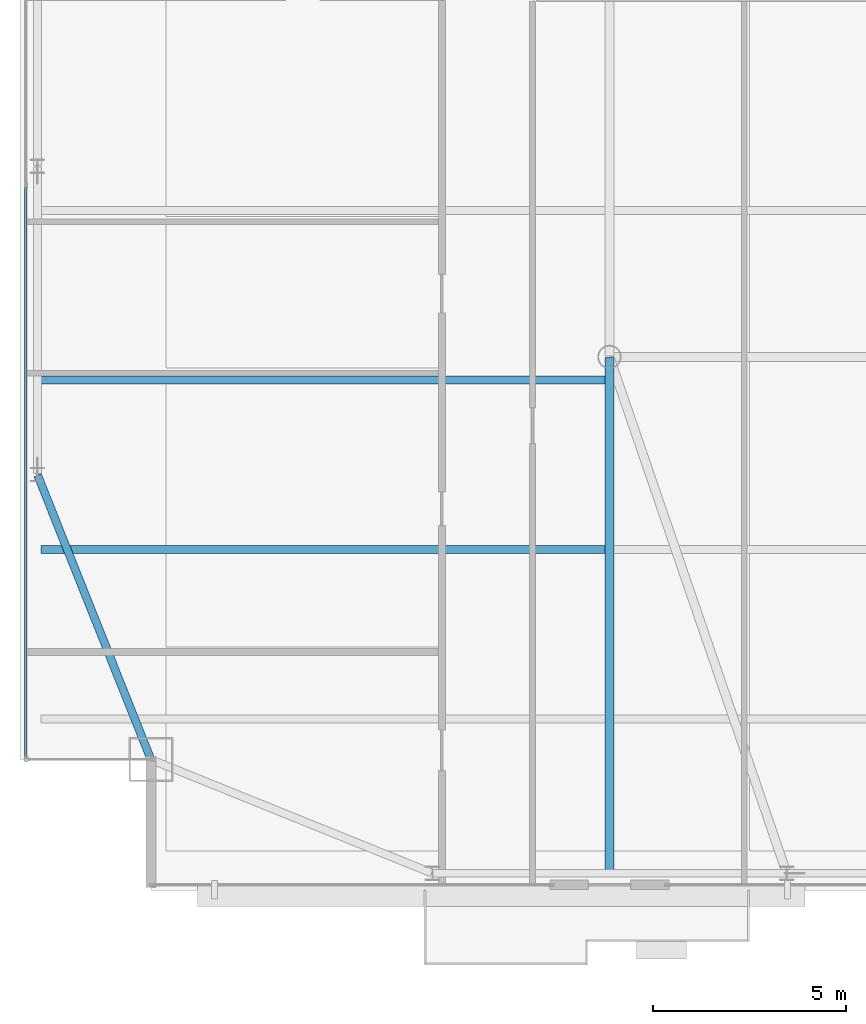
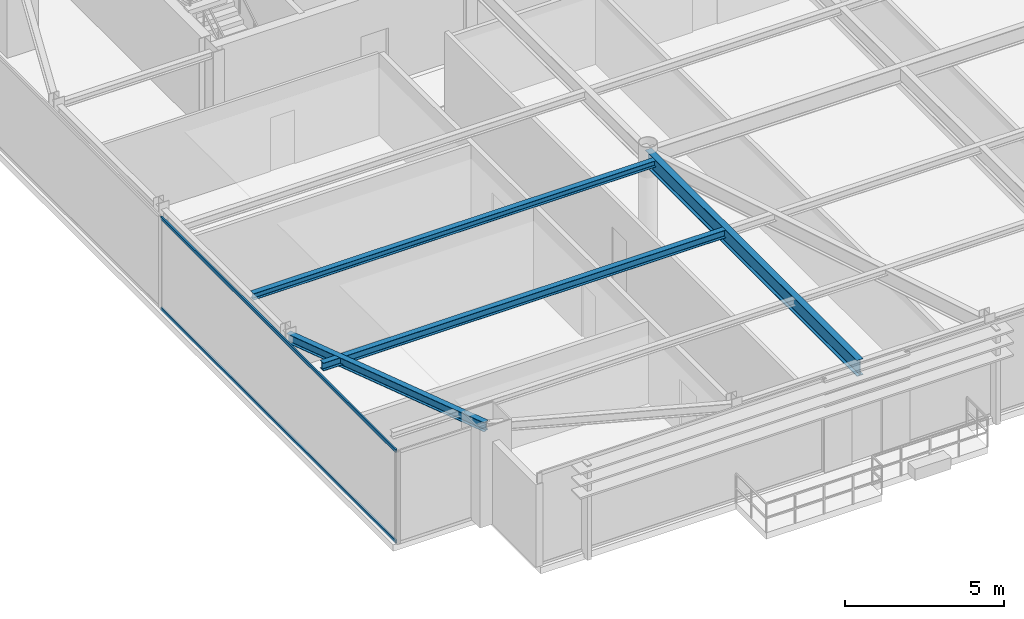
# One storey, part 7 of 30: 4 beams, 2 members, 1 element without a shape of its own.
"""IFC4 building model written with IfcOpenShell, lengths in metres."""

from ifc_helpers import new_model, si_unit, direction, frame, origin, origin_2d, place, context, subcontext, project, spatial, hollow_rectangle, i_section, extrude, source, transform, mapped, material, layer, layer_set, material_profile, profile_set, type_object, type_shapes, element, aggregate, save


model = new_model("IFC4")

# Units and contexts
model_context = context("Model", 3, precision=1e-05, world=origin(), true_north=direction((0.0, 1.0)))
body_context = subcontext(model_context, "Body", "Model", "MODEL_VIEW")
ifc_project = project(units=[si_unit("LENGTHUNIT", "METRE"), si_unit("AREAUNIT", "SQUARE_METRE"), si_unit("VOLUMEUNIT", "CUBIC_METRE"), si_unit("PLANEANGLEUNIT", "RADIAN"), si_unit("MASSUNIT", "GRAM", prefix="KILO")], contexts=[model_context])

# Site, building, storey
site_placement = place(None, origin())
site = spatial("IfcSite", under=ifc_project, at=site_placement, CompositionType="ELEMENT")
building_placement = place(site_placement, origin())
building = spatial("IfcBuilding", under=site, at=building_placement, Name="Varnel Quay Broadcast Tower", CompositionType="ELEMENT")
storey_placement = place(building_placement, frame((0.0, 0.0, 211.199951171875)))
storey = spatial("IfcBuildingStorey", under=building, at=storey_placement, Name="L52", CompositionType="ELEMENT", Elevation=211.199951171875)

# Beams
ifc_material_1 = material(Name="Structural Steel CSA G40.21 350W", Category="steel")
ifc_material_profile_1 = material_profile(ifc_material_1, i_section(OverallWidth=0.205078125, OverallDepth=0.35400390625, WebThickness=0.009521484375, FlangeThickness=0.016845703125, FilletRadius=0.012939453125, at=origin_2d()), Name="W360X79")
ifc_profile_set_1 = profile_set([ifc_material_profile_1], Name="Structural Steel CSA G40.21 350W")
beam_type_1 = type_object("IfcBeamType", Name="Beam_W360X79", PredefinedType="SPANDREL", material=ifc_profile_set_1)
shared_shape_1 = source(origin(), body_context, "Body", "SweptSolid", [
    extrude(i_section(OverallWidth=0.205078125, OverallDepth=0.35400390625, WebThickness=0.009521484375, FlangeThickness=0.016845703125, FilletRadius=0.012939453125, at=origin_2d()), origin(), (0.0, 0.0, 1.0), 7.92626953125),
])
type_shapes(beam_type_1, [shared_shape_1])
beam_1_placement = place(storey_placement, frame((12.892578125, 13.61865234375, 3.373046875), z_axis=(-0.370296431883, 0.928913641053, 0.0), x_axis=(-0.928913641053, -0.370296431883, 0.0)))
element("IfcBeam", 1, at=beam_1_placement, inside=storey, type_object=beam_type_1, Name="L52 West Spandrel MC-SW-TC-W1", PredefinedType="SPANDREL", context=body_context, shape_type="MappedRepresentation", body=[
    mapped(shared_shape_1, transform((0.0, 0.0, 0.0), x_axis=(1.0, 0.0, 0.0), y_axis=(0.0, 1.0, 0.0), z_axis=(0.0, 0.0, 1.0), scale=1.0)),
])
ifc_material_profile_2 = material_profile(ifc_material_1, i_section(OverallWidth=0.22998046875, OverallDepth=0.616943359375, WebThickness=0.01318359375, FlangeThickness=0.022216796875, FilletRadius=0.01611328125, at=origin_2d()), Name="W610X140")
ifc_profile_set_2 = profile_set([ifc_material_profile_2], Name="Structural Steel CSA G40.21 350W")
beam_type_2 = type_object("IfcBeamType", Name="Girder_W610X140", PredefinedType="BEAM", material=ifc_profile_set_2)
shared_shape_2 = source(origin(), body_context, "Body", "SweptSolid", [
    extrude(i_section(OverallWidth=0.22998046875, OverallDepth=0.616943359375, WebThickness=0.01318359375, FlangeThickness=0.022216796875, FilletRadius=0.01611328125, at=origin_2d()), origin(), (0.0, 0.0, 1.0), 13.360107421875),
])
type_shapes(beam_type_2, [shared_shape_2])
beam_2_placement = place(storey_placement, frame((24.800048828125, 10.669921875, 3.241455078125), z_axis=(0.0, 1.0, 0.0), x_axis=(-1.0, 0.0, 0.0)))
element("IfcBeam", 2, at=beam_2_placement, inside=storey, type_object=beam_type_2, Name="L52 N-S Joist Header IC-01S", PredefinedType="BEAM", context=body_context, shape_type="MappedRepresentation", body=[
    mapped(shared_shape_2, transform((0.0, 0.0, 0.0), x_axis=(1.0, 0.0, 0.0), y_axis=(0.0, 1.0, 0.0), z_axis=(0.0, 0.0, 1.0), scale=1.0)),
])
ifc_material_profile_3 = material_profile(ifc_material_1, i_section(OverallWidth=0.201904296875, OverallDepth=0.2470703125, WebThickness=0.00732421875, FlangeThickness=0.010986328125, FilletRadius=0.010986328125, at=origin_2d()), Name="W250X49")
ifc_profile_set_3 = profile_set([ifc_material_profile_3], Name="Structural Steel CSA G40.21 350W")
beam_type_3 = type_object("IfcBeamType", Name="Beam_W250X49", PredefinedType="JOIST", material=ifc_profile_set_3)
shared_shape_3 = source(origin(), body_context, "Body", "SweptSolid", [
    extrude(i_section(OverallWidth=0.201904296875, OverallDepth=0.2470703125, WebThickness=0.00732421875, FlangeThickness=0.010986328125, FilletRadius=0.010986328125, at=origin_2d()), origin(), (0.0, 0.0, 1.0), 14.642333984375),
])
type_shapes(beam_type_3, [shared_shape_3])
beam_3_placement = place(storey_placement, frame((10.047607421875, 23.449951171875, 3.426513671875), z_axis=(1.0, 0.0, 0.0), x_axis=(0.0, 1.0, 0.0)))
element("IfcBeam", 3, at=beam_3_placement, inside=storey, type_object=beam_type_3, Name="L52 West Floor Joist 3", PredefinedType="JOIST", context=body_context, shape_type="MappedRepresentation", body=[
    mapped(shared_shape_3, transform((0.0, 0.0, 0.0), x_axis=(1.0, 0.0, 0.0), y_axis=(0.0, 1.0, 0.0), z_axis=(0.0, 0.0, 1.0), scale=1.0)),
])
ifc_material_profile_4 = material_profile(ifc_material_1, i_section(OverallWidth=0.202880859375, OverallDepth=0.302978515625, WebThickness=0.007568359375, FlangeThickness=0.01318359375, FilletRadius=0.011962890625, at=origin_2d()), Name="W310X60")
ifc_profile_set_4 = profile_set([ifc_material_profile_4], Name="Structural Steel CSA G40.21 350W")
beam_type_4 = type_object("IfcBeamType", Name="Beam_W310X60", PredefinedType="JOIST", material=ifc_profile_set_4)
shared_shape_4 = source(origin(), body_context, "Body", "SweptSolid", [
    extrude(i_section(OverallWidth=0.202880859375, OverallDepth=0.302978515625, WebThickness=0.007568359375, FlangeThickness=0.01318359375, FilletRadius=0.011962890625, at=origin_2d()), origin(), (0.0, 0.0, 1.0), 14.642333984375),
])
type_shapes(beam_type_4, [shared_shape_4])
beam_4_placement = place(storey_placement, frame((10.047607421875, 19.050048828125, 3.3984375), z_axis=(1.0, 0.0, 0.0), x_axis=(0.0, 1.0, 0.0)))
element("IfcBeam", 4, at=beam_4_placement, inside=storey, type_object=beam_type_4, Name="L52 West Floor Joist 2", PredefinedType="JOIST", context=body_context, shape_type="MappedRepresentation", body=[
    mapped(shared_shape_4, transform((0.0, 0.0, 0.0), x_axis=(1.0, 0.0, 0.0), y_axis=(0.0, 1.0, 0.0), z_axis=(0.0, 0.0, 1.0), scale=1.0)),
])

# Curtain wall, members
ifc_material_2 = material(Name="Anodised Bronze Aluminium 6063-T6", Category="aluminium")
ifc_layer = layer(ifc_material_2, 0.18994140625, Name="Anodised Bronze Aluminium 6063-T6")
ifc_layer_set = layer_set([ifc_layer], Name="Anodised Bronze Aluminium 6063-T6")
curtain_wall_type = type_object("IfcCurtainWallType", Name="CW_UpperTower", PredefinedType="NOTDEFINED", material=ifc_layer_set)
curtain_wall_placement = place(storey_placement, origin())
curtain_wall = element("IfcCurtainWall", 5, at=curtain_wall_placement, inside=storey, type_object=curtain_wall_type, Name="L52 West Unitised Curtain Wall", PredefinedType="NOTDEFINED")
ifc_material_profile_5 = material_profile(ifc_material_2, hollow_rectangle(XDim=0.06005859375, YDim=0.125, WallThickness=0.0029296875, at=origin_2d()), Name="ALU60X125X3")
ifc_profile_set_5 = profile_set([ifc_material_profile_5], Name="Anodised Bronze Aluminium 6063-T6")
member_type = type_object("IfcMemberType", Name="Tran_CWS-03", PredefinedType="USERDEFINED", material=ifc_profile_set_5)
shared_shape_5 = source(origin(), body_context, "Body", "SweptSolid", [
    extrude(hollow_rectangle(XDim=0.06005859375, YDim=0.125, WallThickness=0.0029296875, at=origin_2d()), origin(), (0.0, 0.0, 1.0), 14.802490234375),
])
type_shapes(member_type, [shared_shape_5])
member_1_placement = place(storey_placement, frame((9.64990234375, 13.6650390625, 0.030029296875), z_axis=(0.0, 1.0, 0.0), x_axis=(-1.0, 0.0, 0.0)))
member_1 = element("IfcMember", 6, at=member_1_placement, type_object=member_type, Name="CWS-03 transom 1.1", ObjectType="TRANSOM", PredefinedType="USERDEFINED", context=body_context, shape_type="MappedRepresentation", body=[
    mapped(shared_shape_5, transform((0.0, 0.0, 0.0), x_axis=(1.0, 0.0, 0.0), y_axis=(0.0, 1.0, 0.0), z_axis=(0.0, 0.0, 1.0), scale=1.0)),
])
member_2_placement = place(storey_placement, frame((9.64990234375, 13.6650390625, 3.52001953125), z_axis=(0.0, 1.0, 0.0), x_axis=(-1.0, 0.0, 0.0)))
member_2 = element("IfcMember", 7, at=member_2_placement, type_object=member_type, Name="CWS-03 transom 1.2", ObjectType="TRANSOM", PredefinedType="USERDEFINED", context=body_context, shape_type="MappedRepresentation", body=[
    mapped(shared_shape_5, transform((0.0, 0.0, 0.0), x_axis=(1.0, 0.0, 0.0), y_axis=(0.0, 1.0, 0.0), z_axis=(0.0, 0.0, 1.0), scale=1.0)),
])
aggregate(curtain_wall, [member_1, member_2])

save(model, "model.ifc")
